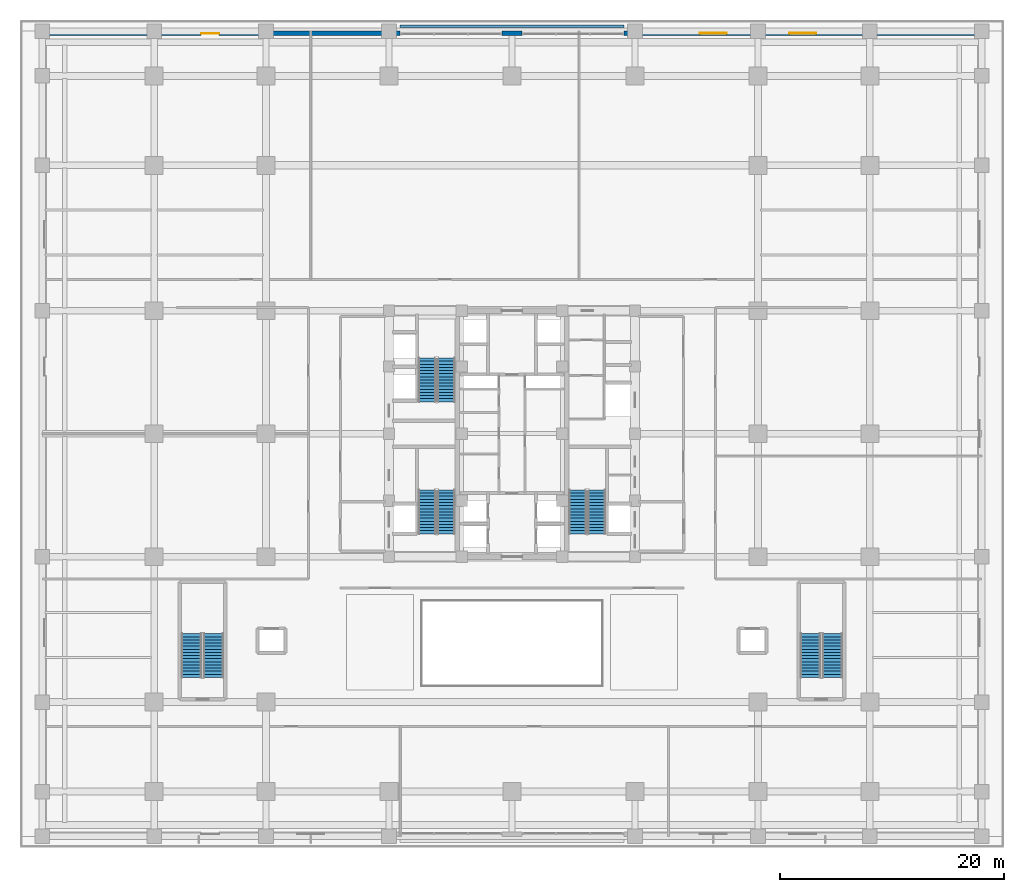
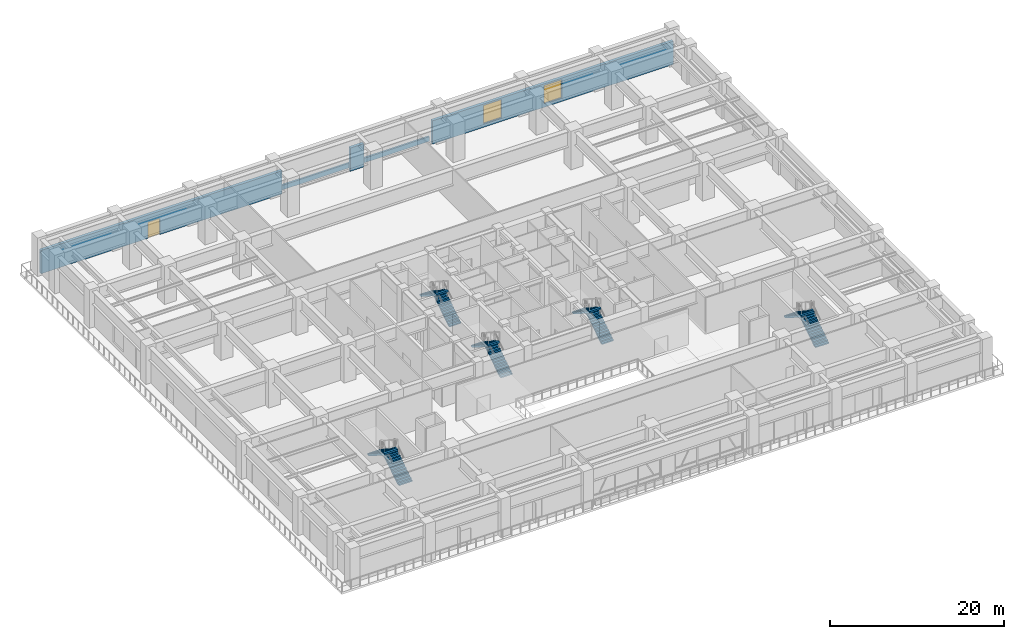
# One storey, part 21 of 28: 10 stair flights, 4 walls, 2 windows, 1 door, 3 openings, 5 elements without a shape of their own.
"""IFC4 building model written with IfcOpenShell, lengths in metres."""

import ifcopenshell
import ifcopenshell.guid

model = None  # the IFC model being written
_history = None  # IfcOwnerHistory: only IFC2X3 demands one
_inside = {}  # id of a spatial element -> (the spatial element, [elements in it])
_under = {}  # id of a project, library or spatial element -> (it, [spatial elements below it])
_declared = {}  # id of a project -> (the project, [libraries it declares])
_typed = {}  # id of a type object -> (the type object, [elements of that type])
_made_of = {}  # id of a material, layer set ... -> (it, [elements and type objects made of it])


def new_model(schema):
    """Start an empty IFC model of exactly this schema.

    Asked for "IFC4X3", IfcOpenShell would pick the latest addendum, in which some entities
    have other attributes; the version numbers below select the first issue.
    IFC2X3 requires an IfcOwnerHistory on every rooted entity: one is made here for all.
    """
    global model, _history
    if schema == "IFC4X3":
        model = ifcopenshell.file(schema_version=(4, 3, 0, 0))
    else:
        model = ifcopenshell.file(schema=schema)
    _inside.clear()
    _under.clear()
    _declared.clear()
    _typed.clear()
    _made_of.clear()
    _history = None
    if model.schema == "IFC2X3":
        org = make("IfcOrganization", Name="unknown")
        user = make(
            "IfcPersonAndOrganization",
            ThePerson=make("IfcPerson", FamilyName="unknown"),
            TheOrganization=org,
        )
        app = make(
            "IfcApplication",
            ApplicationDeveloper=org,
            Version="unknown",
            ApplicationFullName="unknown",
            ApplicationIdentifier="unknown",
        )
        _history = make(
            "IfcOwnerHistory",
            OwningUser=user,
            OwningApplication=app,
            ChangeAction="ADDED",
            CreationDate=0,
        )
    return model


def make(cls, **values):
    """One entity of the class cls with the attributes given. An attribute that is None is left unset."""
    return model.create_entity(
        cls, **{name: value for name, value in values.items() if value is not None}
    )


def rooted(cls, **values):
    """An entity with a GlobalId (a new one), such as an element, a storey or a relation."""
    return make(cls, GlobalId=ifcopenshell.guid.new(), OwnerHistory=_history, **values)


def si_unit(unit_type, name, prefix=None):
    """IfcSIUnit, for example si_unit("LENGTHUNIT", "METRE", prefix="MILLI")."""
    return make("IfcSIUnit", UnitType=unit_type, Prefix=prefix, Name=name)


def assignment(units):
    """IfcUnitAssignment: the units of a project."""
    return None if units is None else make("IfcUnitAssignment", Units=units)


def point(xyz):
    """IfcCartesianPoint."""
    return None if xyz is None else make("IfcCartesianPoint", Coordinates=xyz)


def direction(xyz):
    """IfcDirection."""
    return None if xyz is None else make("IfcDirection", DirectionRatios=xyz)


def frame(location, z_axis=None, x_axis=None):
    """IfcAxis2Placement3D, a coordinate frame: its origin and axes. An axis left out is left unset."""
    return make(
        "IfcAxis2Placement3D",
        Location=point(location),
        Axis=direction(z_axis),
        RefDirection=direction(x_axis),
    )


def frame_2d(location, x_axis=None):
    """IfcAxis2Placement2D, a coordinate frame in the plane: its origin and x axis."""
    return make(
        "IfcAxis2Placement2D", Location=point(location), RefDirection=direction(x_axis)
    )


def origin():
    """The frame at (0, 0, 0) with its axes left unset."""
    return frame((0.0, 0.0, 0.0))


def place(relative_to, where):
    """IfcLocalPlacement: puts the frame where relative to a parent placement (None: the world)."""
    return make(
        "IfcLocalPlacement", PlacementRelTo=relative_to, RelativePlacement=where
    )


def context(
    kind, dimensions, precision=None, world=None, true_north=None, identifier=None
):
    """IfcGeometricRepresentationContext, for example the 3D "Model" context."""
    return make(
        "IfcGeometricRepresentationContext",
        ContextIdentifier=identifier,
        ContextType=kind,
        CoordinateSpaceDimension=dimensions,
        Precision=precision,
        WorldCoordinateSystem=world,
        TrueNorth=true_north,
    )


def subcontext(parent, identifier, kind, view, scale=None):
    """IfcGeometricRepresentationSubContext, for example "Body" below "Model"."""
    return make(
        "IfcGeometricRepresentationSubContext",
        ContextIdentifier=identifier,
        ContextType=kind,
        ParentContext=parent,
        TargetScale=scale,
        TargetView=view,
    )


def project(units=None, contexts=None):
    """IfcProject with its units and contexts."""
    return rooted(
        "IfcProject",
        Name="project",
        RepresentationContexts=contexts,
        UnitsInContext=assignment(units),
    )


def spatial(cls, under=None, at=None, **own):
    """A site, building, storey or space (cls), placed at a placement, below another one or the project."""
    s = rooted(cls, ObjectPlacement=at, **own)
    if under is not None:
        _under.setdefault(under.id(), (under, []))[1].append(s)
    return s


def polyline(points):
    """IfcPolyline through the points."""
    return make("IfcPolyline", Points=[point(p) for p in points])


def profile(cls, at=None, kind="AREA", **sizes):
    """A parametric profile (cls). Its sizes go by their IFC names, for example OverallWidth=200.0."""
    return make(cls, ProfileType=kind, Position=at, **sizes)


def rectangle(**sizes):
    """IfcRectangleProfileDef."""
    return profile("IfcRectangleProfileDef", **sizes)


def outline(outer, holes=None, kind="AREA"):
    """IfcArbitraryClosedProfileDef: a profile drawn as a closed curve; with holes, ...WithVoids."""
    if holes is None:
        return make("IfcArbitraryClosedProfileDef", ProfileType=kind, OuterCurve=outer)
    return make(
        "IfcArbitraryProfileDefWithVoids",
        ProfileType=kind,
        OuterCurve=outer,
        InnerCurves=holes,
    )


def extrude(swept, where, along, depth):
    """IfcExtrudedAreaSolid: the profile swept, set in the frame where, extruded along a direction by depth."""
    return make(
        "IfcExtrudedAreaSolid",
        SweptArea=swept,
        Position=where,
        ExtrudedDirection=direction(along),
        Depth=depth,
    )


def shape(context_of_items, identifier, shape_type, items):
    """IfcShapeRepresentation: the items that make up one representation, for example the "Body"."""
    return make(
        "IfcShapeRepresentation",
        ContextOfItems=context_of_items,
        RepresentationIdentifier=identifier,
        RepresentationType=shape_type,
        Items=items,
    )


def source(mapping_origin, context_of_items, identifier, shape_type, items):
    """IfcRepresentationMap: a shape defined once, which mapped items show again and again."""
    return make(
        "IfcRepresentationMap",
        MappingOrigin=mapping_origin,
        MappedRepresentation=shape(context_of_items, identifier, shape_type, items),
    )


def transform(
    local_origin,
    x_axis=None,
    y_axis=None,
    z_axis=None,
    scale=None,
    scale2=None,
    scale3=None,
    uniform=True,
):
    """IfcCartesianTransformationOperator3D, or its non-uniform kind. x_axis, y_axis, z_axis: its Axis1, 2, 3."""
    if uniform:
        return make(
            "IfcCartesianTransformationOperator3D",
            Axis1=direction(x_axis),
            Axis2=direction(y_axis),
            LocalOrigin=point(local_origin),
            Scale=scale,
            Axis3=direction(z_axis),
        )
    return make(
        "IfcCartesianTransformationOperator3DnonUniform",
        Axis1=direction(x_axis),
        Axis2=direction(y_axis),
        LocalOrigin=point(local_origin),
        Scale=scale,
        Axis3=direction(z_axis),
        Scale2=scale2,
        Scale3=scale3,
    )


def mapped(mapping_source, mapping_target):
    """IfcMappedItem: shows the shape of a source again, moved by a transform."""
    return make(
        "IfcMappedItem", MappingSource=mapping_source, MappingTarget=mapping_target
    )


def material(Name=None, Category=None):
    """IfcMaterial."""
    return make("IfcMaterial", Name=Name, Category=Category)


def layer(
    of_material, thickness, ventilated=None, Name=None, Category=None, Priority=None
):
    """IfcMaterialLayer: one layer of a wall or slab, of a material (None: an air gap)."""
    return make(
        "IfcMaterialLayer",
        Material=of_material,
        LayerThickness=thickness,
        IsVentilated=ventilated,
        Name=Name,
        Category=Category,
        Priority=Priority,
    )


def layer_set(layers, Name=None):
    """IfcMaterialLayerSet."""
    return make("IfcMaterialLayerSet", MaterialLayers=layers, LayerSetName=Name)


def made_of(thing, what):
    """Note that an element or type object is made of a material, layer set ...; save() writes the relation."""
    if what is not None:
        _made_of.setdefault(what.id(), (what, []))[1].append(thing)
    return thing


def type_object(cls, material=None, **own):
    """A type object (cls), such as IfcWallType, which elements share."""
    return made_of(rooted(cls, **own), material)


def element(
    cls,
    number,
    at=None,
    inside=None,
    cuts=None,
    type_object=None,
    material=None,
    context=None,
    identifier="Body",
    shape_type=None,
    held_by="IfcProductDefinitionShape",
    body=None,
    shapes=None,
    **own,
):
    """One element of the class cls, such as IfcWall. Its Tag is "e" and its number.

    at: its placement. inside: the storey or other place that contains it. cuts: it is an
    opening in that element (IfcRelVoidsElement). A single representation is given by context,
    identifier, shape_type and body (its items); several are given by shapes. held_by: the class
    of the entity that holds the representations. save() writes the other relations.
    """
    e = rooted(cls, Tag="e%d" % number, ObjectPlacement=at, **own)
    if body is not None:
        shapes = [shape(context, identifier, shape_type, body)]
    if shapes is not None:
        e.Representation = make(held_by, Representations=shapes)
    if inside is not None:
        _inside.setdefault(inside.id(), (inside, []))[1].append(e)
    if cuts is not None:
        rooted(
            "IfcRelVoidsElement", RelatingBuildingElement=cuts, RelatedOpeningElement=e
        )
    if type_object is not None:
        _typed.setdefault(type_object.id(), (type_object, []))[1].append(e)
    return made_of(e, material)


def fill(opening, filler):
    """IfcRelFillsElement: the door or window that sits in an opening."""
    return rooted(
        "IfcRelFillsElement",
        RelatingOpeningElement=opening,
        RelatedBuildingElement=filler,
    )


def aggregate(whole, parts):
    """IfcRelAggregates: a whole, such as a stair, and the parts it consists of."""
    return rooted("IfcRelAggregates", RelatingObject=whole, RelatedObjects=parts)


def save(model, path):
    """Write the relations noted so far, then the file.

    IfcRelAggregates (storeys below a building ...), IfcRelContainedInSpatialStructure (elements
    in a storey), IfcRelDefinesByType, IfcRelAssociatesMaterial and IfcRelDeclares: one each for
    every whole, place, type object, material and project.
    """
    for whole, parts in _under.values():
        aggregate(whole, parts)
    for where, things in _inside.values():
        rooted(
            "IfcRelContainedInSpatialStructure",
            RelatedElements=things,
            RelatingStructure=where,
        )
    for kind, things in _typed.values():
        rooted("IfcRelDefinesByType", RelatedObjects=things, RelatingType=kind)
    for what, things in _made_of.values():
        rooted("IfcRelAssociatesMaterial", RelatedObjects=things, RelatingMaterial=what)
    for by, libraries in _declared.values():
        rooted("IfcRelDeclares", RelatingContext=by, RelatedDefinitions=libraries)
    model.write(path)


model = new_model("IFC4")

# Units and contexts
model_context = context("Model", 3, precision=1e-05, world=origin(), true_north=direction((0.0, 1.0)))
body_context = subcontext(model_context, "Body", "Model", "MODEL_VIEW")
ifc_project = project(units=[si_unit("LENGTHUNIT", "METRE"), si_unit("AREAUNIT", "SQUARE_METRE"), si_unit("VOLUMEUNIT", "CUBIC_METRE"), si_unit("PLANEANGLEUNIT", "RADIAN"), si_unit("MASSUNIT", "GRAM", prefix="KILO")], contexts=[model_context])

# Site, building, storey
site_placement = place(None, origin())
site = spatial("IfcSite", under=ifc_project, at=site_placement, CompositionType="ELEMENT")
building_placement = place(site_placement, origin())
building = spatial("IfcBuilding", under=site, at=building_placement, Name="Khorayat Bourse Tower", CompositionType="ELEMENT")
storey_placement = place(building_placement, frame((0.0, 0.0, 12.0)))
storey = spatial("IfcBuildingStorey", under=building, at=storey_placement, Name="L02", CompositionType="ELEMENT", Elevation=12.0)

# Wall
ifc_material_1 = material(Name="Precast concrete C45/55", Category="concrete")
ifc_layer_1 = layer(ifc_material_1, 0.239990234375)
ifc_layer_set_1 = layer_set([ifc_layer_1], Name="Precast concrete C45/55")
wall_type_1 = type_object("IfcWallType", Name="WAL-PLANTER-240", PredefinedType="STANDARD", material=ifc_layer_set_1)
shared_shape_1 = source(origin(), body_context, "Body", "SweptSolid", [
    extrude(rectangle(XDim=20.0, YDim=0.239990234375, at=frame_2d((10.0, 0.0))), origin(), (0.0, 0.0, 1.0), 0.64990234375),
])
wall_1_placement = place(storey_placement, frame((-10.0, 36.429931640625, 0.0), z_axis=(0.0, 0.0, 1.0), x_axis=(1.0, 0.0, 0.0)))
element("IfcWall", 1, at=wall_1_placement, inside=storey, type_object=wall_type_1, Name="L02 Planted Terrace Upstand PLN-N", PredefinedType="STANDARD", context=body_context, shape_type="MappedRepresentation", body=[
    mapped(shared_shape_1, transform((0.0, 0.0, 0.0), scale=1.0)),
])

# Wall, opening, door
ifc_layer_2 = layer(ifc_material_1, 0.3798828125)
ifc_layer_set_2 = layer_set([ifc_layer_2], Name="Precast concrete C45/55")
wall_type_2 = type_object("IfcWallType", Name="WAL-EXT-STONE-380", PredefinedType="STANDARD", material=ifc_layer_set_2)
shared_shape_2 = source(origin(), body_context, "Body", "SweptSolid", [
    extrude(rectangle(XDim=32.0, YDim=0.3798828125, at=frame_2d((16.0, 0.0))), origin(), (0.0, 0.0, 1.0), 3.280029296875),
])
wall_2_placement = place(storey_placement, frame((-42.0, 35.81005859375, 0.0), z_axis=(0.0, 0.0, 1.0), x_axis=(1.0, 0.0, 0.0)))
wall_2 = element("IfcWall", 2, at=wall_2_placement, inside=storey, type_object=wall_type_2, Name="L02 Exterior Limestone Wall WAL-L02-EXT-NW", PredefinedType="STANDARD", context=body_context, shape_type="MappedRepresentation", body=[
    mapped(shared_shape_2, transform((0.0, 0.0, 0.0), scale=1.0)),
])
shared_shape_3 = source(origin(), body_context, "Body", "SweptSolid", [
    extrude(rectangle(XDim=1.60009765625, YDim=2.25, at=frame_2d((0.800048828125, 1.125))), frame((0.0, 0.199951171875, 0.0), z_axis=(0.0, -1.0, 0.0), x_axis=(1.0, 0.0, 0.0)), (0.0, 0.0, 1.0), 0.39990234375),
])
opening_1_placement = place(wall_2_placement, frame((14.199951171875, 0.0, 0.0)))
opening_1 = element("IfcOpeningElement", 3, at=opening_1_placement, cuts=wall_2, Name="Opening DE-04", PredefinedType="OPENING", context=body_context, shape_type="MappedRepresentation", body=[
    mapped(shared_shape_3, transform((0.0, 0.0, 0.0), scale=1.0)),
])
ifc_material_2 = material(Name="Thermally broken aluminium terrace double door", Category="aluminium")
door_type = type_object("IfcDoorType", Name="DR-EXT-TERR-1600", OperationType="NOTDEFINED", PredefinedType="DOOR", material=ifc_material_2)
shared_shape_4 = source(origin(), body_context, "Body", "SweptSolid", [
    extrude(rectangle(XDim=1.60009765625, YDim=2.25, at=frame_2d((0.800048828125, 1.125))), frame((0.0, 0.02490234375, 0.0), z_axis=(0.0, -1.0, 0.0), x_axis=(1.0, 0.0, 0.0)), (0.0, 0.0, 1.0), 0.050048828125),
])
door_placement = place(opening_1_placement, origin())
door = element("IfcDoor", 4, at=door_placement, inside=storey, type_object=door_type, Name="L02 North Garden Terrace Door", OperationType="DOUBLE_DOOR_SINGLE_SWING", OverallHeight=2.25, OverallWidth=1.60009765625, PredefinedType="DOOR", context=body_context, shape_type="MappedRepresentation", body=[
    mapped(shared_shape_4, transform((0.0, 0.0, 0.0), scale=1.0)),
])
fill(opening_1, door)

# Wall, openings, windows
wall_3_placement = place(storey_placement, frame((10.0, 35.81005859375, 0.0), z_axis=(0.0, 0.0, 1.0), x_axis=(1.0, 0.0, 0.0)))
wall_3 = element("IfcWall", 5, at=wall_3_placement, inside=storey, type_object=wall_type_2, Name="L02 Exterior Limestone Wall WAL-L02-EXT-NE", PredefinedType="STANDARD", context=body_context, shape_type="MappedRepresentation", body=[
    mapped(shared_shape_2, transform((0.0, 0.0, 0.0), scale=1.0)),
])
shared_shape_5 = source(origin(), body_context, "Body", "SweptSolid", [
    extrude(rectangle(XDim=2.39990234375, YDim=2.56005859375, at=frame_2d((1.199951171875, 1.280029296875))), frame((0.0, 0.199951171875, 0.0), z_axis=(0.0, -1.0, 0.0), x_axis=(1.0, 0.0, 0.0)), (0.0, 0.0, 1.0), 0.39990234375),
])
opening_2_placement = place(wall_3_placement, frame((6.800048828125, 0.0, 0.5)))
opening_2 = element("IfcOpeningElement", 6, at=opening_2_placement, cuts=wall_3, Name="Opening WN-01", PredefinedType="OPENING", context=body_context, shape_type="MappedRepresentation", body=[
    mapped(shared_shape_5, transform((0.0, 0.0, 0.0), scale=1.0)),
])
opening_3_placement = place(wall_3_placement, frame((14.800048828125, 0.0, 0.5)))
opening_3 = element("IfcOpeningElement", 7, at=opening_3_placement, cuts=wall_3, Name="Opening WN-01", PredefinedType="OPENING", context=body_context, shape_type="MappedRepresentation", body=[
    mapped(shared_shape_5, transform((0.0, 0.0, 0.0), scale=1.0)),
])
ifc_material_3 = material(Name="Low-E solar-control laminated double glazing", Category="glass")
window_type = type_object("IfcWindowType", Name="WIN-POD-2400x2600", PartitioningType="SINGLE_PANEL", PredefinedType="WINDOW", material=ifc_material_3)
shared_shape_6 = source(origin(), body_context, "Body", "SweptSolid", [
    extrude(rectangle(XDim=2.39990234375, YDim=2.56005859375, at=frame_2d((1.199951171875, 1.280029296875))), frame((0.0, 0.030029296875, 0.0), z_axis=(0.0, -1.0, 0.0), x_axis=(1.0, 0.0, 0.0)), (0.0, 0.0, 1.0), 0.06005859375),
])
window_1_placement = place(opening_2_placement, origin())
window_1 = element("IfcWindow", 8, at=window_1_placement, inside=storey, type_object=window_type, Name="L02 Facade Window 1", OverallHeight=2.56005859375, OverallWidth=2.39990234375, PartitioningType="SINGLE_PANEL", PredefinedType="WINDOW", context=body_context, shape_type="MappedRepresentation", body=[
    mapped(shared_shape_6, transform((0.0, 0.0, 0.0), scale=1.0)),
])
fill(opening_2, window_1)
window_2_placement = place(opening_3_placement, origin())
window_2 = element("IfcWindow", 9, at=window_2_placement, inside=storey, type_object=window_type, Name="L02 Facade Window 2", OverallHeight=2.56005859375, OverallWidth=2.39990234375, PartitioningType="SINGLE_PANEL", PredefinedType="WINDOW", context=body_context, shape_type="MappedRepresentation", body=[
    mapped(shared_shape_6, transform((0.0, 0.0, 0.0), scale=1.0)),
])
fill(opening_3, window_2)

# Wall
shared_shape_7 = source(origin(), body_context, "Body", "SweptSolid", [
    extrude(rectangle(XDim=1.7998046875, YDim=0.3798828125, at=frame_2d((0.89990234375, 0.0))), origin(), (0.0, 0.0, 1.0), 3.280029296875),
])
wall_4_placement = place(storey_placement, frame((-0.89990234375, 35.81005859375, 0.0), z_axis=(0.0, 0.0, 1.0), x_axis=(1.0, 0.0, 0.0)))
element("IfcWall", 10, at=wall_4_placement, inside=storey, type_object=wall_type_2, Name="L02 Exterior Limestone Wall WAL-L02-EXT-NM", PredefinedType="STANDARD", context=body_context, shape_type="MappedRepresentation", body=[
    mapped(shared_shape_7, transform((0.0, 0.0, 0.0), scale=1.0)),
])

# Stair, stair flights
ifc_material_4 = material(Name="Concrete C40/50", Category="concrete")
stair_type_1 = type_object("IfcStairType", Name="STR-CORE-1550", PredefinedType="HALF_TURN_STAIR", material=ifc_material_4)
stair_1_placement = place(storey_placement, origin())
stair_1 = element("IfcStair", 11, at=stair_1_placement, inside=storey, type_object=stair_type_1, Name="L02 Exit Stair ST-1", PredefinedType="HALF_TURN_STAIR")
stair_flight_type_1 = type_object("IfcStairFlightType", Name="FLT-CORE-1550", PredefinedType="STRAIGHT", material=ifc_material_4)
shared_shape_8 = source(origin(), body_context, "Body", "SweptSolid", [
    extrude(outline(polyline([(0.0, 0.0), (0.0, 0.179931640625), (0.280029296875, 0.179931640625), (0.280029296875, 0.360107421875), (0.56005859375, 0.360107421875), (0.56005859375, 0.5400390625), (0.840087890625, 0.5400390625), (0.840087890625, 0.719970703125), (1.1201171875, 0.719970703125), (1.1201171875, 0.89990234375), (1.39990234375, 0.89990234375), (1.39990234375, 1.080078125), (1.679931640625, 1.080078125), (1.679931640625, 1.260009765625), (1.9599609375, 1.260009765625), (1.9599609375, 1.43994140625), (2.239990234375, 1.43994140625), (2.239990234375, 1.6201171875), (2.52001953125, 1.6201171875), (2.52001953125, 1.800048828125), (2.800048828125, 1.800048828125), (2.800048828125, 1.97998046875), (3.080078125, 1.97998046875), (3.080078125, 2.159912109375), (3.360107421875, 2.159912109375), (3.360107421875, 2.340087890625), (3.639892578125, 2.340087890625), (3.639892578125, 2.52001953125), (3.919921875, 2.52001953125), (3.919921875, 2.699951171875), (3.919921875, 2.30615234375), (0.332763671875, 0.0), (0.0, 0.0)])), frame((0.0, 0.77490234375, 0.0), z_axis=(0.0, -1.0, 0.0), x_axis=(1.0, 0.0, 0.0)), (0.0, 0.0, 1.0), 1.550048828125),
])
stair_flight_1_placement = place(storey_placement, frame((-5.875, -8.949951171875, 0.0), z_axis=(0.0, 0.0, 1.0), x_axis=(0.0, 1.0, 0.0)))
stair_flight_1 = element("IfcStairFlight", 12, at=stair_flight_1_placement, type_object=stair_flight_type_1, Name="ST-1 flight 1", NumberOfRisers=15, NumberOfTreads=14, PredefinedType="STRAIGHT", RiserHeight=0.18, TreadLength=0.28, context=body_context, shape_type="MappedRepresentation", body=[
    mapped(shared_shape_8, transform((0.0, 0.0, 0.0), scale=1.0)),
])
stair_flight_2_placement = place(storey_placement, frame((-7.574951171875, -5.030029296875, 2.699951171875), z_axis=(0.0, 0.0, 1.0), x_axis=(0.0, -1.0, 0.0)))
stair_flight_2 = element("IfcStairFlight", 13, at=stair_flight_2_placement, type_object=stair_flight_type_1, Name="ST-1 flight 2", NumberOfRisers=15, NumberOfTreads=14, PredefinedType="STRAIGHT", RiserHeight=0.18, TreadLength=0.28, context=body_context, shape_type="MappedRepresentation", body=[
    mapped(shared_shape_8, transform((0.0, 0.0, 0.0), scale=1.0)),
])
aggregate(stair_1, [stair_flight_1, stair_flight_2])

stair_2_placement = place(storey_placement, origin())
stair_2 = element("IfcStair", 14, at=stair_2_placement, inside=storey, type_object=stair_type_1, Name="L02 Exit Stair ST-2", PredefinedType="HALF_TURN_STAIR")
stair_flight_3_placement = place(storey_placement, frame((-5.875, 2.85009765625, 0.0), z_axis=(0.0, 0.0, 1.0), x_axis=(0.0, 1.0, 0.0)))
stair_flight_3 = element("IfcStairFlight", 15, at=stair_flight_3_placement, type_object=stair_flight_type_1, Name="ST-2 flight 1", NumberOfRisers=15, NumberOfTreads=14, PredefinedType="STRAIGHT", RiserHeight=0.18, TreadLength=0.28, context=body_context, shape_type="MappedRepresentation", body=[
    mapped(shared_shape_8, transform((0.0, 0.0, 0.0), scale=1.0)),
])
stair_flight_4_placement = place(storey_placement, frame((-7.574951171875, 6.77001953125, 2.699951171875), z_axis=(0.0, 0.0, 1.0), x_axis=(0.0, -1.0, 0.0)))
stair_flight_4 = element("IfcStairFlight", 16, at=stair_flight_4_placement, type_object=stair_flight_type_1, Name="ST-2 flight 2", NumberOfRisers=15, NumberOfTreads=14, PredefinedType="STRAIGHT", RiserHeight=0.18, TreadLength=0.28, context=body_context, shape_type="MappedRepresentation", body=[
    mapped(shared_shape_8, transform((0.0, 0.0, 0.0), scale=1.0)),
])
aggregate(stair_2, [stair_flight_3, stair_flight_4])

stair_3_placement = place(storey_placement, origin())
stair_3 = element("IfcStair", 17, at=stair_3_placement, inside=storey, type_object=stair_type_1, Name="L02 Exit Stair ST-3", PredefinedType="HALF_TURN_STAIR")
stair_flight_5_placement = place(storey_placement, frame((7.574951171875, -8.949951171875, 0.0), z_axis=(0.0, 0.0, 1.0), x_axis=(0.0, 1.0, 0.0)))
stair_flight_5 = element("IfcStairFlight", 18, at=stair_flight_5_placement, type_object=stair_flight_type_1, Name="ST-3 flight 1", NumberOfRisers=15, NumberOfTreads=14, PredefinedType="STRAIGHT", RiserHeight=0.18, TreadLength=0.28, context=body_context, shape_type="MappedRepresentation", body=[
    mapped(shared_shape_8, transform((0.0, 0.0, 0.0), scale=1.0)),
])
stair_flight_6_placement = place(storey_placement, frame((5.875, -5.030029296875, 2.699951171875), z_axis=(0.0, 0.0, 1.0), x_axis=(0.0, -1.0, 0.0)))
stair_flight_6 = element("IfcStairFlight", 19, at=stair_flight_6_placement, type_object=stair_flight_type_1, Name="ST-3 flight 2", NumberOfRisers=15, NumberOfTreads=14, PredefinedType="STRAIGHT", RiserHeight=0.18, TreadLength=0.28, context=body_context, shape_type="MappedRepresentation", body=[
    mapped(shared_shape_8, transform((0.0, 0.0, 0.0), scale=1.0)),
])
aggregate(stair_3, [stair_flight_5, stair_flight_6])

stair_type_2 = type_object("IfcStairType", Name="STR-POD-1800", PredefinedType="HALF_TURN_STAIR", material=ifc_material_4)
stair_4_placement = place(storey_placement, origin())
stair_4 = element("IfcStair", 20, at=stair_4_placement, inside=storey, type_object=stair_type_2, Name="L02 Exit Stair ST-P1", PredefinedType="HALF_TURN_STAIR")
stair_flight_type_2 = type_object("IfcStairFlightType", Name="FLT-POD-1800", PredefinedType="STRAIGHT", material=ifc_material_4)
shared_shape_9 = source(origin(), body_context, "Body", "SweptSolid", [
    extrude(outline(polyline([(0.0, 0.0), (0.0, 0.179931640625), (0.280029296875, 0.179931640625), (0.280029296875, 0.360107421875), (0.56005859375, 0.360107421875), (0.56005859375, 0.5400390625), (0.840087890625, 0.5400390625), (0.840087890625, 0.719970703125), (1.1201171875, 0.719970703125), (1.1201171875, 0.89990234375), (1.39990234375, 0.89990234375), (1.39990234375, 1.080078125), (1.679931640625, 1.080078125), (1.679931640625, 1.260009765625), (1.9599609375, 1.260009765625), (1.9599609375, 1.43994140625), (2.239990234375, 1.43994140625), (2.239990234375, 1.6201171875), (2.52001953125, 1.6201171875), (2.52001953125, 1.800048828125), (2.800048828125, 1.800048828125), (2.800048828125, 1.97998046875), (3.080078125, 1.97998046875), (3.080078125, 2.159912109375), (3.360107421875, 2.159912109375), (3.360107421875, 2.340087890625), (3.639892578125, 2.340087890625), (3.639892578125, 2.52001953125), (3.919921875, 2.52001953125), (3.919921875, 2.699951171875), (3.919921875, 2.2822265625), (0.369873046875, 0.0), (0.0, 0.0)])), frame((0.0, 0.89990234375, 0.0), z_axis=(0.0, -1.0, 0.0), x_axis=(1.0, 0.0, 0.0)), (0.0, 0.0, 1.0), 1.800048828125),
])
stair_flight_7_placement = place(storey_placement, frame((-26.699951171875, -21.800048828125, 0.0), z_axis=(0.0, 0.0, 1.0), x_axis=(0.0, 1.0, 0.0)))
stair_flight_7 = element("IfcStairFlight", 21, at=stair_flight_7_placement, type_object=stair_flight_type_2, Name="ST-P1 flight 1", NumberOfRisers=15, NumberOfTreads=14, PredefinedType="STRAIGHT", RiserHeight=0.18, TreadLength=0.28, context=body_context, shape_type="MappedRepresentation", body=[
    mapped(shared_shape_9, transform((0.0, 0.0, 0.0), scale=1.0)),
])
stair_flight_8_placement = place(storey_placement, frame((-28.64990234375, -17.8798828125, 2.699951171875), z_axis=(0.0, 0.0, 1.0), x_axis=(0.0, -1.0, 0.0)))
stair_flight_8 = element("IfcStairFlight", 22, at=stair_flight_8_placement, type_object=stair_flight_type_2, Name="ST-P1 flight 2", NumberOfRisers=15, NumberOfTreads=14, PredefinedType="STRAIGHT", RiserHeight=0.18, TreadLength=0.28, context=body_context, shape_type="MappedRepresentation", body=[
    mapped(shared_shape_9, transform((0.0, 0.0, 0.0), scale=1.0)),
])
aggregate(stair_4, [stair_flight_7, stair_flight_8])

stair_5_placement = place(storey_placement, origin())
stair_5 = element("IfcStair", 23, at=stair_5_placement, inside=storey, type_object=stair_type_2, Name="L02 Exit Stair ST-P2", PredefinedType="HALF_TURN_STAIR")
stair_flight_9_placement = place(storey_placement, frame((28.64990234375, -21.800048828125, 0.0), z_axis=(0.0, 0.0, 1.0), x_axis=(0.0, 1.0, 0.0)))
stair_flight_9 = element("IfcStairFlight", 24, at=stair_flight_9_placement, type_object=stair_flight_type_2, Name="ST-P2 flight 1", NumberOfRisers=15, NumberOfTreads=14, PredefinedType="STRAIGHT", RiserHeight=0.18, TreadLength=0.28, context=body_context, shape_type="MappedRepresentation", body=[
    mapped(shared_shape_9, transform((0.0, 0.0, 0.0), scale=1.0)),
])
stair_flight_10_placement = place(storey_placement, frame((26.699951171875, -17.8798828125, 2.699951171875), z_axis=(0.0, 0.0, 1.0), x_axis=(0.0, -1.0, 0.0)))
stair_flight_10 = element("IfcStairFlight", 25, at=stair_flight_10_placement, type_object=stair_flight_type_2, Name="ST-P2 flight 2", NumberOfRisers=15, NumberOfTreads=14, PredefinedType="STRAIGHT", RiserHeight=0.18, TreadLength=0.28, context=body_context, shape_type="MappedRepresentation", body=[
    mapped(shared_shape_9, transform((0.0, 0.0, 0.0), scale=1.0)),
])
aggregate(stair_5, [stair_flight_9, stair_flight_10])

save(model, "model.ifc")
